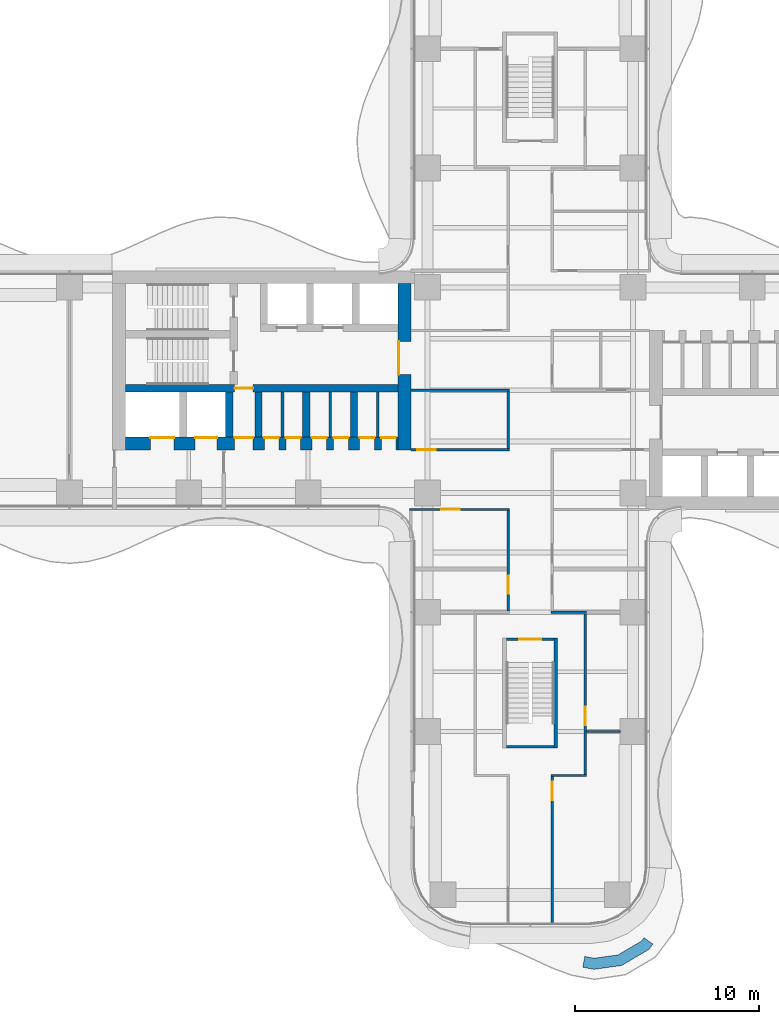
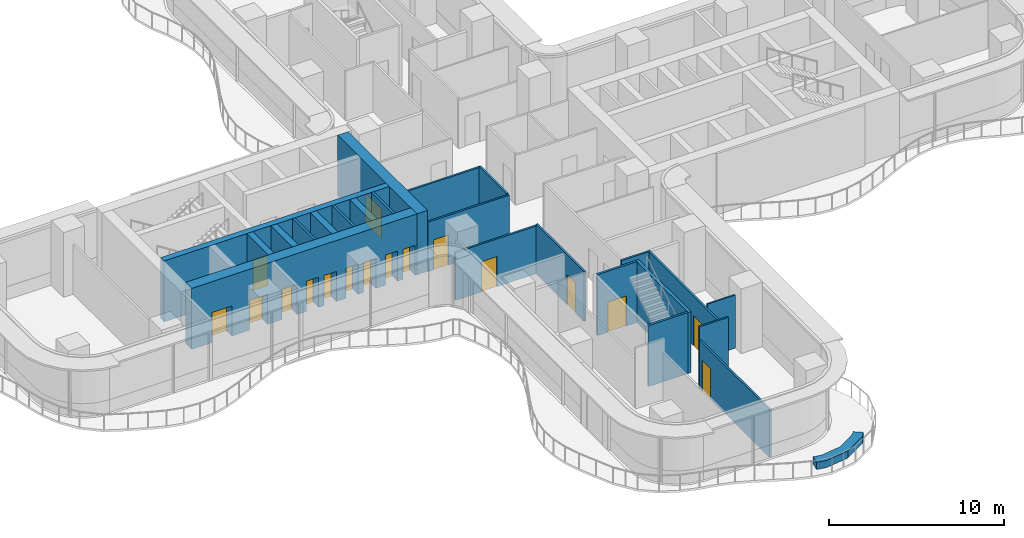
# One storey, part 17 of 22: 24 walls, 17 doors, 17 openings.
"""IFC4 building model written with IfcOpenShell, lengths in metres."""

from ifc_helpers import new_model, si_unit, direction, frame, frame_2d, origin, place, context, subcontext, project, spatial, polyline, rectangle, outline, extrude, source, transform, mapped, material, layer, layer_set, type_object, element, fill, save


model = new_model("IFC4")

# Units and contexts
model_context = context("Model", 3, precision=1e-05, world=origin(), true_north=direction((0.0, 1.0)))
body_context = subcontext(model_context, "Body", "Model", "MODEL_VIEW")
ifc_project = project(units=[si_unit("LENGTHUNIT", "METRE"), si_unit("AREAUNIT", "SQUARE_METRE"), si_unit("VOLUMEUNIT", "CUBIC_METRE"), si_unit("PLANEANGLEUNIT", "RADIAN"), si_unit("MASSUNIT", "GRAM", prefix="KILO")], contexts=[model_context])

# Site, building, storey
site_placement = place(None, origin())
site = spatial("IfcSite", under=ifc_project, at=site_placement, CompositionType="ELEMENT")
building_placement = place(site_placement, origin())
building = spatial("IfcBuilding", under=site, at=building_placement, Name="Trellis Farm Tower", CompositionType="ELEMENT")
storey_placement = place(building_placement, frame((0.0, 0.0, 52.0)))
storey = spatial("IfcBuildingStorey", under=building, at=storey_placement, Name="L10", CompositionType="ELEMENT", Elevation=52.0)

# Wall
ifc_material_1 = material(Name="Sandstone faced masonry planter", Category="masonry")
ifc_layer_1 = layer(ifc_material_1, 0.60009765625)
ifc_layer_set_1 = layer_set([ifc_layer_1], Name="PLANTER BED 600")
wall_type_1 = type_object("IfcWallType", Name="PLANTER BED 600", PredefinedType="USERDEFINED", material=ifc_layer_set_1)
wall_1_placement = place(storey_placement, origin())
element("IfcWall", 1, at=wall_1_placement, inside=storey, type_object=wall_type_1, Name="PLANTER bed", ObjectType="PLANTER", PredefinedType="USERDEFINED", context=body_context, shape_type="SweptSolid", body=[
    extrude(outline(polyline([(6.468994140625, -30.473388671875), (4.989990234375, -31.34619140625), (3.475830078125, -31.5595703125), (2.864990234375, -31.44482421875), (2.9755859375, -30.85498046875), (3.48974609375, -30.95166015625), (4.7880859375, -30.768798828125), (6.059814453125, -30.01806640625), (6.201416015625, -29.827880859375), (6.682861328125, -30.18603515625), (6.468994140625, -30.473388671875)])), origin(), (0.0, 0.0, 1.0), 0.5),
])

# Wall, opening, door
ifc_material_2 = material(Name="Concrete C80/95", Category="concrete")
ifc_layer_2 = layer(ifc_material_2, 0.699951171875)
ifc_layer_set_2 = layer_set([ifc_layer_2], Name="CORE OUTER WALL 700 CONCRETE C80/95")
wall_type_2 = type_object("IfcWallType", Name="CORE OUTER WALL 700 CONCRETE C80/95", PredefinedType="SHEAR", material=ifc_layer_set_2)
shared_shape_1 = source(origin(), body_context, "Body", "SweptSolid", [
    extrude(rectangle(XDim=9.050048828125, YDim=0.699951171875, at=frame_2d((4.52490234375, 0.0))), origin(), (0.0, 0.0, 1.0), 4.25),
])
wall_2_placement = place(storey_placement, frame((-6.85009765625, 5.800048828125, 0.0), z_axis=(0.0, 0.0, 1.0), x_axis=(0.0, -1.0, 0.0)))
wall_2 = element("IfcWall", 2, at=wall_2_placement, inside=storey, type_object=wall_type_2, Name="Core wall", PredefinedType="SHEAR", context=body_context, shape_type="MappedRepresentation", body=[
    mapped(shared_shape_1, transform((0.0, 0.0, 0.0))),
])
shared_shape_2 = source(origin(), body_context, "Body", "SweptSolid", [
    extrude(rectangle(XDim=1.800048828125, YDim=2.10009765625, at=frame_2d((0.89990234375, 1.050048828125))), frame((0.0, 0.360107421875, 0.0), z_axis=(0.0, -1.0, 0.0), x_axis=(1.0, 0.0, 0.0)), (0.0, 0.0, 1.0), 0.72021484375),
])
opening_1_placement = place(wall_2_placement, frame((3.14990234375, 0.0, 0.0)))
opening_1 = element("IfcOpeningElement", 3, at=opening_1_placement, cuts=wall_2, Name="Opening DC87", PredefinedType="OPENING", context=body_context, shape_type="MappedRepresentation", body=[
    mapped(shared_shape_2, transform((0.0, 0.0, 0.0))),
])
ifc_material_3 = material(Name="Steel", Category="steel")
door_type_1 = type_object("IfcDoorType", Name="CORE FIRE DOOR DOUBLE 1800 X 2100", OperationType="DOUBLE_DOOR_SINGLE_SWING", PredefinedType="DOOR", material=ifc_material_3)
shared_shape_3 = source(origin(), body_context, "Body", "SweptSolid", [
    extrude(rectangle(XDim=1.800048828125, YDim=2.10009765625, at=frame_2d((0.89990234375, 1.050048828125))), frame((0.0, -0.27490234375, 0.0), z_axis=(0.0, -1.0, 0.0), x_axis=(1.0, 0.0, 0.0)), (0.0, 0.0, 1.0), 0.050048828125),
])
door_1_placement = place(opening_1_placement, origin())
door_1 = element("IfcDoor", 4, at=door_1_placement, inside=storey, type_object=door_type_1, Name="Core door", OperationType="DOUBLE_DOOR_SINGLE_SWING", OverallHeight=2.10009765625, OverallWidth=1.800048828125, PredefinedType="DOOR", context=body_context, shape_type="MappedRepresentation", body=[
    mapped(shared_shape_3, transform((0.0, 0.0, 0.0))),
])
fill(opening_1, door_1)

# Walls
ifc_layer_3 = layer(ifc_material_2, 0.39990234375)
ifc_layer_set_3 = layer_set([ifc_layer_3], Name="CORE INNER WALL 400 CONCRETE C80/95")
wall_type_3 = type_object("IfcWallType", Name="CORE INNER WALL 400 CONCRETE C80/95", PredefinedType="SHEAR", material=ifc_layer_set_3)
shared_shape_4 = source(origin(), body_context, "Body", "SweptSolid", [
    extrude(rectangle(XDim=2.449951171875, YDim=0.39990234375, at=frame_2d((1.22509765625, 0.0))), origin(), (0.0, 0.0, 1.0), 4.25),
])
for number, where, z_axis, x_axis, name in (
    (5, (-9.60009765625, -0.10009765625, 0.0), (0.0, 0.0, 1.0), (0.0, -1.0, 0.0), "Core wall"),
    (6, (-12.199951171875, -0.10009765625, 0.0), (0.0, 0.0, 1.0), (0.0, -1.0, 0.0), "Core wall"),
    (7, (-14.800048828125, -0.10009765625, 0.0), (0.0, 0.0, 1.0), (0.0, -1.0, 0.0), "Core wall"),
    (8, (-16.39990234375, -0.10009765625, 0.0), (0.0, 0.0, 1.0), (0.0, -1.0, 0.0), "Core wall"),
):
    element("IfcWall", number, at=place(storey_placement, frame(where, z_axis=z_axis, x_axis=x_axis)), inside=storey, type_object=wall_type_3, Name=name, PredefinedType="SHEAR", context=body_context, shape_type="MappedRepresentation", body=[
        mapped(shared_shape_4, transform((0.0, 0.0, 0.0))),
    ])

# Wall, openings, doors
shared_shape_5 = source(origin(), body_context, "Body", "SweptSolid", [
    extrude(rectangle(XDim=14.85009765625, YDim=0.699951171875, at=frame_2d((7.425048828125, 0.0))), origin(), (0.0, 0.0, 1.0), 4.25),
])
wall_3_placement = place(storey_placement, frame((-7.199951171875, -2.89990234375, 0.0), z_axis=(0.0, 0.0, 1.0), x_axis=(-1.0, 0.0, 0.0)))
wall_3 = element("IfcWall", 9, at=wall_3_placement, inside=storey, type_object=wall_type_2, Name="Core wall", PredefinedType="SHEAR", context=body_context, shape_type="MappedRepresentation", body=[
    mapped(shared_shape_5, transform((0.0, 0.0, 0.0))),
])
shared_shape_6 = source(origin(), body_context, "Body", "SweptSolid", [
    extrude(rectangle(XDim=1.300048828125, YDim=2.10009765625, at=frame_2d((0.64990234375, 1.050048828125))), frame((0.0, 0.360107421875, 0.0), z_axis=(0.0, -1.0, 0.0), x_axis=(1.0, 0.0, 0.0)), (0.0, 0.0, 1.0), 0.72021484375),
])
opening_2_placement = place(wall_3_placement, frame((12.199951171875, 0.0, 0.0)))
opening_2 = element("IfcOpeningElement", 10, at=opening_2_placement, cuts=wall_3, Name="Opening LD15", PredefinedType="OPENING", context=body_context, shape_type="MappedRepresentation", body=[
    mapped(shared_shape_6, transform((0.0, 0.0, 0.0))),
])
shared_shape_7 = source(origin(), body_context, "Body", "SweptSolid", [
    extrude(rectangle(XDim=1.199951171875, YDim=2.10009765625, at=frame_2d((0.60009765625, 1.050048828125))), frame((0.0, 0.360107421875, 0.0), z_axis=(0.0, -1.0, 0.0), x_axis=(1.0, 0.0, 0.0)), (0.0, 0.0, 1.0), 0.72021484375),
])
opening_3_placement = place(wall_3_placement, frame((9.85009765625, 0.0, 0.0)))
opening_3 = element("IfcOpeningElement", 11, at=opening_3_placement, cuts=wall_3, Name="Opening LD16", PredefinedType="OPENING", context=body_context, shape_type="MappedRepresentation", body=[
    mapped(shared_shape_7, transform((0.0, 0.0, 0.0))),
])
shared_shape_8 = source(origin(), body_context, "Body", "SweptSolid", [
    extrude(rectangle(XDim=1.0, YDim=2.10009765625, at=frame_2d((0.5, 1.050048828125))), frame((0.0, 0.360107421875, 0.0), z_axis=(0.0, -1.0, 0.0), x_axis=(1.0, 0.0, 0.0)), (0.0, 0.0, 1.0), 0.72021484375),
])
opening_4_placement = place(wall_3_placement, frame((7.89990234375, 0.0, 0.0)))
opening_4 = element("IfcOpeningElement", 12, at=opening_4_placement, cuts=wall_3, Name="Opening DC92", PredefinedType="OPENING", context=body_context, shape_type="MappedRepresentation", body=[
    mapped(shared_shape_8, transform((0.0, 0.0, 0.0))),
])
shared_shape_9 = source(origin(), body_context, "Body", "SweptSolid", [
    extrude(rectangle(XDim=0.800048828125, YDim=2.10009765625, at=frame_2d((0.39990234375, 1.050048828125))), frame((0.0, 0.360107421875, 0.0), z_axis=(0.0, -1.0, 0.0), x_axis=(1.0, 0.0, 0.0)), (0.0, 0.0, 1.0), 0.72021484375),
])
opening_5_placement = place(wall_3_placement, frame((0.112548828125, 0.0, 0.0)))
opening_5 = element("IfcOpeningElement", 13, at=opening_5_placement, cuts=wall_3, Name="Opening DC95", PredefinedType="OPENING", context=body_context, shape_type="MappedRepresentation", body=[
    mapped(shared_shape_9, transform((0.0, 0.0, 0.0))),
])
opening_6_placement = place(wall_3_placement, frame((1.28759765625, 0.0, 0.0)))
opening_6 = element("IfcOpeningElement", 14, at=opening_6_placement, cuts=wall_3, Name="Opening DC102", PredefinedType="OPENING", context=body_context, shape_type="MappedRepresentation", body=[
    mapped(shared_shape_9, transform((0.0, 0.0, 0.0))),
])
opening_7_placement = place(wall_3_placement, frame((2.71240234375, 0.0, 0.0)))
opening_7 = element("IfcOpeningElement", 15, at=opening_7_placement, cuts=wall_3, Name="Opening DC107", PredefinedType="OPENING", context=body_context, shape_type="MappedRepresentation", body=[
    mapped(shared_shape_9, transform((0.0, 0.0, 0.0))),
])
opening_8_placement = place(wall_3_placement, frame((3.887451171875, 0.0, 0.0)))
opening_8 = element("IfcOpeningElement", 16, at=opening_8_placement, cuts=wall_3, Name="Opening DC114", PredefinedType="OPENING", context=body_context, shape_type="MappedRepresentation", body=[
    mapped(shared_shape_9, transform((0.0, 0.0, 0.0))),
])
opening_9_placement = place(wall_3_placement, frame((5.3125, 0.0, 0.0)))
opening_9 = element("IfcOpeningElement", 17, at=opening_9_placement, cuts=wall_3, Name="Opening DC119", PredefinedType="OPENING", context=body_context, shape_type="MappedRepresentation", body=[
    mapped(shared_shape_9, transform((0.0, 0.0, 0.0))),
])
opening_10_placement = place(wall_3_placement, frame((6.487548828125, 0.0, 0.0)))
opening_10 = element("IfcOpeningElement", 18, at=opening_10_placement, cuts=wall_3, Name="Opening DC126", PredefinedType="OPENING", context=body_context, shape_type="MappedRepresentation", body=[
    mapped(shared_shape_9, transform((0.0, 0.0, 0.0))),
])
door_type_2 = type_object("IfcDoorType", Name="CORE FIRE DOOR 1000 X 2100", OperationType="NOTDEFINED", PredefinedType="DOOR", material=ifc_material_3)
shared_shape_10 = source(origin(), body_context, "Body", "SweptSolid", [
    extrude(rectangle(XDim=1.0, YDim=2.10009765625, at=frame_2d((0.5, 1.050048828125))), frame((0.0, -0.27490234375, 0.0), z_axis=(0.0, -1.0, 0.0), x_axis=(1.0, 0.0, 0.0)), (0.0, 0.0, 1.0), 0.050048828125),
])
door_2_placement = place(opening_4_placement, origin())
door_2 = element("IfcDoor", 19, at=door_2_placement, inside=storey, type_object=door_type_2, Name="Core door", OperationType="SINGLE_SWING_LEFT", OverallHeight=2.10009765625, OverallWidth=1.0, PredefinedType="DOOR", context=body_context, shape_type="MappedRepresentation", body=[
    mapped(shared_shape_10, transform((0.0, 0.0, 0.0))),
])
fill(opening_4, door_2)
ifc_material_4 = material(Name="Stainless steel", Category="steel")
door_type_3 = type_object("IfcDoorType", Name="LIFT LANDING DOOR 1300 X 2100", OperationType="DOUBLE_DOOR_SLIDING", PredefinedType="DOOR", material=ifc_material_4)
shared_shape_11 = source(origin(), body_context, "Body", "SweptSolid", [
    extrude(rectangle(XDim=1.300048828125, YDim=2.10009765625, at=frame_2d((0.64990234375, 1.050048828125))), frame((0.0, -0.27490234375, 0.0), z_axis=(0.0, -1.0, 0.0), x_axis=(1.0, 0.0, 0.0)), (0.0, 0.0, 1.0), 0.050048828125),
])
door_3_placement = place(opening_2_placement, origin())
door_3 = element("IfcDoor", 20, at=door_3_placement, inside=storey, type_object=door_type_3, Name="Lift landing door", OperationType="DOUBLE_DOOR_SLIDING", OverallHeight=2.10009765625, OverallWidth=1.300048828125, PredefinedType="DOOR", context=body_context, shape_type="MappedRepresentation", body=[
    mapped(shared_shape_11, transform((0.0, 0.0, 0.0))),
])
fill(opening_2, door_3)
door_type_4 = type_object("IfcDoorType", Name="LIFT LANDING DOOR 1200 X 2100", OperationType="DOUBLE_DOOR_SLIDING", PredefinedType="DOOR", material=ifc_material_4)
shared_shape_12 = source(origin(), body_context, "Body", "SweptSolid", [
    extrude(rectangle(XDim=1.199951171875, YDim=2.10009765625, at=frame_2d((0.60009765625, 1.050048828125))), frame((0.0, -0.27490234375, 0.0), z_axis=(0.0, -1.0, 0.0), x_axis=(1.0, 0.0, 0.0)), (0.0, 0.0, 1.0), 0.050048828125),
])
door_4_placement = place(opening_3_placement, origin())
door_4 = element("IfcDoor", 21, at=door_4_placement, inside=storey, type_object=door_type_4, Name="Lift landing door", OperationType="DOUBLE_DOOR_SLIDING", OverallHeight=2.10009765625, OverallWidth=1.199951171875, PredefinedType="DOOR", context=body_context, shape_type="MappedRepresentation", body=[
    mapped(shared_shape_12, transform((0.0, 0.0, 0.0))),
])
fill(opening_3, door_4)
door_type_5 = type_object("IfcDoorType", Name="CORE FIRE DOOR 800 X 2100", OperationType="NOTDEFINED", PredefinedType="DOOR", material=ifc_material_3)
shared_shape_13 = source(origin(), body_context, "Body", "SweptSolid", [
    extrude(rectangle(XDim=0.800048828125, YDim=2.10009765625, at=frame_2d((0.39990234375, 1.050048828125))), frame((0.0, -0.27490234375, 0.0), z_axis=(0.0, -1.0, 0.0), x_axis=(1.0, 0.0, 0.0)), (0.0, 0.0, 1.0), 0.050048828125),
])
door_5_placement = place(opening_5_placement, origin())
door_5 = element("IfcDoor", 22, at=door_5_placement, inside=storey, type_object=door_type_5, Name="Core door", OperationType="SINGLE_SWING_LEFT", OverallHeight=2.10009765625, OverallWidth=0.800048828125, PredefinedType="DOOR", context=body_context, shape_type="MappedRepresentation", body=[
    mapped(shared_shape_13, transform((0.0, 0.0, 0.0))),
])
fill(opening_5, door_5)
door_6_placement = place(opening_6_placement, origin())
door_6 = element("IfcDoor", 23, at=door_6_placement, inside=storey, type_object=door_type_5, Name="Core door", OperationType="SINGLE_SWING_RIGHT", OverallHeight=2.10009765625, OverallWidth=0.800048828125, PredefinedType="DOOR", context=body_context, shape_type="MappedRepresentation", body=[
    mapped(shared_shape_13, transform((0.0, 0.0, 0.0))),
])
fill(opening_6, door_6)
door_7_placement = place(opening_7_placement, origin())
door_7 = element("IfcDoor", 24, at=door_7_placement, inside=storey, type_object=door_type_5, Name="Core door", OperationType="SINGLE_SWING_LEFT", OverallHeight=2.10009765625, OverallWidth=0.800048828125, PredefinedType="DOOR", context=body_context, shape_type="MappedRepresentation", body=[
    mapped(shared_shape_13, transform((0.0, 0.0, 0.0))),
])
fill(opening_7, door_7)
door_8_placement = place(opening_8_placement, origin())
door_8 = element("IfcDoor", 25, at=door_8_placement, inside=storey, type_object=door_type_5, Name="Core door", OperationType="SINGLE_SWING_RIGHT", OverallHeight=2.10009765625, OverallWidth=0.800048828125, PredefinedType="DOOR", context=body_context, shape_type="MappedRepresentation", body=[
    mapped(shared_shape_13, transform((0.0, 0.0, 0.0))),
])
fill(opening_8, door_8)
door_9_placement = place(opening_9_placement, origin())
door_9 = element("IfcDoor", 26, at=door_9_placement, inside=storey, type_object=door_type_5, Name="Core door", OperationType="SINGLE_SWING_LEFT", OverallHeight=2.10009765625, OverallWidth=0.800048828125, PredefinedType="DOOR", context=body_context, shape_type="MappedRepresentation", body=[
    mapped(shared_shape_13, transform((0.0, 0.0, 0.0))),
])
fill(opening_9, door_9)
door_10_placement = place(opening_10_placement, origin())
door_10 = element("IfcDoor", 27, at=door_10_placement, inside=storey, type_object=door_type_5, Name="Core door", OperationType="SINGLE_SWING_RIGHT", OverallHeight=2.10009765625, OverallWidth=0.800048828125, PredefinedType="DOOR", context=body_context, shape_type="MappedRepresentation", body=[
    mapped(shared_shape_13, transform((0.0, 0.0, 0.0))),
])
fill(opening_10, door_10)

# Wall, opening, door
shared_shape_14 = source(origin(), body_context, "Body", "SweptSolid", [
    extrude(rectangle(XDim=14.85009765625, YDim=0.39990234375, at=frame_2d((7.425048828125, 0.0))), origin(), (0.0, 0.0, 1.0), 4.25),
])
wall_4_placement = place(storey_placement, frame((-7.199951171875, 0.10009765625, 0.0), z_axis=(0.0, 0.0, 1.0), x_axis=(-1.0, 0.0, 0.0)))
wall_4 = element("IfcWall", 28, at=wall_4_placement, inside=storey, type_object=wall_type_3, Name="Core wall", PredefinedType="SHEAR", context=body_context, shape_type="MappedRepresentation", body=[
    mapped(shared_shape_14, transform((0.0, 0.0, 0.0))),
])
shared_shape_15 = source(origin(), body_context, "Body", "SweptSolid", [
    extrude(rectangle(XDim=1.0, YDim=2.10009765625, at=frame_2d((0.5, 1.050048828125))), frame((0.0, 0.2099609375, 0.0), z_axis=(0.0, -1.0, 0.0), x_axis=(1.0, 0.0, 0.0)), (0.0, 0.0, 1.0), 0.419921875),
])
opening_11_placement = place(wall_4_placement, frame((7.89990234375, 0.0, 0.0)))
opening_11 = element("IfcOpeningElement", 29, at=opening_11_placement, cuts=wall_4, Name="Opening DC91", PredefinedType="OPENING", context=body_context, shape_type="MappedRepresentation", body=[
    mapped(shared_shape_15, transform((0.0, 0.0, 0.0))),
])
shared_shape_16 = source(origin(), body_context, "Body", "SweptSolid", [
    extrude(rectangle(XDim=1.0, YDim=2.10009765625, at=frame_2d((0.5, 1.050048828125))), frame((0.0, 0.02490234375, 0.0), z_axis=(0.0, -1.0, 0.0), x_axis=(1.0, 0.0, 0.0)), (0.0, 0.0, 1.0), 0.050048828125),
])
door_11_placement = place(opening_11_placement, origin())
door_11 = element("IfcDoor", 30, at=door_11_placement, inside=storey, type_object=door_type_2, Name="Core door", OperationType="SINGLE_SWING_RIGHT", OverallHeight=2.10009765625, OverallWidth=1.0, PredefinedType="DOOR", context=body_context, shape_type="MappedRepresentation", body=[
    mapped(shared_shape_16, transform((0.0, 0.0, 0.0))),
])
fill(opening_11, door_11)

# Walls
ifc_material_5 = material(Name="Masonry blockwork", Category="masonry")
ifc_layer_4 = layer(ifc_material_5, 0.14990234375)
ifc_layer_set_4 = layer_set([ifc_layer_4], Name="CORE PARTITION 150 BLOCKWORK")
wall_type_4 = type_object("IfcWallType", Name="CORE PARTITION 150 BLOCKWORK", PredefinedType="PARTITIONING", material=ifc_layer_set_4)
shared_shape_17 = source(origin(), body_context, "Body", "SweptSolid", [
    extrude(rectangle(XDim=2.449951171875, YDim=0.14990234375, at=frame_2d((1.22509765625, 0.0))), origin(), (0.0, 0.0, 1.0), 4.25),
])
for number, where, z_axis, x_axis, name in (
    (31, (-8.300048828125, -0.10009765625, 0.0), (0.0, 0.0, 1.0), (0.0, -1.0, 0.0), "Core room partition"),
    (32, (-10.89990234375, -0.10009765625, 0.0), (0.0, 0.0, 1.0), (0.0, -1.0, 0.0), "Core room partition"),
    (33, (-13.5, -0.10009765625, 0.0), (0.0, 0.0, 1.0), (0.0, -1.0, 0.0), "Core room partition"),
):
    element("IfcWall", number, at=place(storey_placement, frame(where, z_axis=z_axis, x_axis=x_axis)), inside=storey, type_object=wall_type_4, Name=name, PredefinedType="PARTITIONING", context=body_context, shape_type="MappedRepresentation", body=[
        mapped(shared_shape_17, transform((0.0, 0.0, 0.0))),
    ])
ifc_layer_5 = layer(ifc_material_2, 0.199951171875)
ifc_layer_set_5 = layer_set([ifc_layer_5], Name="CORE STAIR ENCLOSURE WALL 200 CONCRETE C80/95")
wall_type_5 = type_object("IfcWallType", Name="CORE STAIR ENCLOSURE WALL 200 CONCRETE C80/95", PredefinedType="SHEAR", material=ifc_layer_set_5)
shared_shape_18 = source(origin(), body_context, "Body", "SweptSolid", [
    extrude(rectangle(XDim=6.0, YDim=0.199951171875, at=frame_2d((3.0, 0.0))), origin(), (0.0, 0.0, 1.0), 4.25),
])
wall_5_placement = place(storey_placement, frame((1.39990234375, -13.5, 0.0), z_axis=(0.0, 0.0, 1.0), x_axis=(0.0, -1.0, 0.0)))
element("IfcWall", 34, at=wall_5_placement, inside=storey, type_object=wall_type_5, Name="Stair enclosure wall", PredefinedType="SHEAR", context=body_context, shape_type="MappedRepresentation", body=[
    mapped(shared_shape_18, transform((0.0, 0.0, 0.0))),
])

# Wall, opening, door
ifc_layer_6 = layer(ifc_material_2, 0.14990234375)
ifc_layer_set_6 = layer_set([ifc_layer_6], Name="CORE STAIR ENCLOSURE WALL 150 CONCRETE C80/95")
wall_type_6 = type_object("IfcWallType", Name="CORE STAIR ENCLOSURE WALL 150 CONCRETE C80/95", PredefinedType="SHEAR", material=ifc_layer_set_6)
shared_shape_19 = source(origin(), body_context, "Body", "SweptSolid", [
    extrude(rectangle(XDim=2.60009765625, YDim=0.14990234375, at=frame_2d((1.300048828125, 0.0))), origin(), (0.0, 0.0, 1.0), 4.25),
])
wall_6_placement = place(storey_placement, frame((1.300048828125, -13.574951171875, 0.0), z_axis=(0.0, 0.0, 1.0), x_axis=(-1.0, 0.0, 0.0)))
wall_6 = element("IfcWall", 35, at=wall_6_placement, inside=storey, type_object=wall_type_6, Name="Stair enclosure wall", PredefinedType="SHEAR", context=body_context, shape_type="MappedRepresentation", body=[
    mapped(shared_shape_19, transform((0.0, 0.0, 0.0))),
])
shared_shape_20 = source(origin(), body_context, "Body", "SweptSolid", [
    extrude(rectangle(XDim=1.199951171875, YDim=2.10009765625, at=frame_2d((0.60009765625, 1.050048828125))), frame((0.0, 0.0849609375, 0.0), z_axis=(0.0, -1.0, 0.0), x_axis=(1.0, 0.0, 0.0)), (0.0, 0.0, 1.0), 0.169921875),
])
opening_12_placement = place(wall_6_placement, frame((0.699951171875, 0.0, 0.0)))
opening_12 = element("IfcOpeningElement", 36, at=opening_12_placement, cuts=wall_6, Name="Opening DC174", PredefinedType="OPENING", context=body_context, shape_type="MappedRepresentation", body=[
    mapped(shared_shape_20, transform((0.0, 0.0, 0.0))),
])
door_type_6 = type_object("IfcDoorType", Name="CORE FIRE DOOR 1200 X 2100", OperationType="NOTDEFINED", PredefinedType="DOOR", material=ifc_material_3)
shared_shape_21 = source(origin(), body_context, "Body", "SweptSolid", [
    extrude(rectangle(XDim=1.199951171875, YDim=2.10009765625, at=frame_2d((0.60009765625, 1.050048828125))), frame((0.0, 0.02490234375, 0.0), z_axis=(0.0, -1.0, 0.0), x_axis=(1.0, 0.0, 0.0)), (0.0, 0.0, 1.0), 0.050048828125),
])
door_12_placement = place(opening_12_placement, origin())
door_12 = element("IfcDoor", 37, at=door_12_placement, inside=storey, type_object=door_type_6, Name="Core door", OperationType="SINGLE_SWING_RIGHT", OverallHeight=2.10009765625, OverallWidth=1.199951171875, PredefinedType="DOOR", context=body_context, shape_type="MappedRepresentation", body=[
    mapped(shared_shape_21, transform((0.0, 0.0, 0.0))),
])
fill(opening_12, door_12)

# Walls
wall_7_placement = place(storey_placement, frame((1.300048828125, -19.425048828125, 0.0), z_axis=(0.0, 0.0, 1.0), x_axis=(-1.0, 0.0, 0.0)))
element("IfcWall", 38, at=wall_7_placement, inside=storey, type_object=wall_type_6, Name="Stair enclosure wall", PredefinedType="SHEAR", context=body_context, shape_type="MappedRepresentation", body=[
    mapped(shared_shape_19, transform((0.0, 0.0, 0.0))),
])
ifc_material_6 = material(Name="Plasterboard on steel studs, mineral wool", Category="steel")
ifc_layer_7 = layer(ifc_material_6, 0.125)
ifc_layer_set_7 = layer_set([ifc_layer_7], Name="PARTITION 125 STUD EI 60")
wall_type_7 = type_object("IfcWallType", Name="PARTITION 125 STUD EI 60", PredefinedType="PARTITIONING", material=ifc_layer_set_7)
shared_shape_22 = source(origin(), body_context, "Body", "SweptSolid", [
    extrude(rectangle(XDim=3.125, YDim=0.125, at=frame_2d((1.5625, 0.0))), origin(), (0.0, 0.0, 1.0), 3.54638671875),
])
wall_8_placement = place(storey_placement, frame((-1.199951171875, -0.0625, 0.0), z_axis=(0.0, 0.0, 1.0), x_axis=(0.0, -1.0, 0.0)))
element("IfcWall", 39, at=wall_8_placement, inside=storey, type_object=wall_type_7, Name="Partition PW1", PredefinedType="PARTITIONING", context=body_context, shape_type="MappedRepresentation", body=[
    mapped(shared_shape_22, transform((0.0, 0.0, 0.0))),
])

# Wall, opening, door
shared_shape_23 = source(origin(), body_context, "Body", "SweptSolid", [
    extrude(rectangle(XDim=5.47509765625, YDim=0.125, at=frame_2d((2.737548828125, 0.0))), origin(), (0.0, 0.0, 1.0), 3.4677734375),
])
wall_9_placement = place(storey_placement, frame((-1.199951171875, -6.5625, 0.0), z_axis=(0.0, 0.0, 1.0), x_axis=(0.0, -1.0, 0.0)))
wall_9 = element("IfcWall", 40, at=wall_9_placement, inside=storey, type_object=wall_type_7, Name="Partition PW1", PredefinedType="PARTITIONING", context=body_context, shape_type="MappedRepresentation", body=[
    mapped(shared_shape_23, transform((0.0, 0.0, 0.0))),
])
shared_shape_24 = source(origin(), body_context, "Body", "SweptSolid", [
    extrude(rectangle(XDim=1.0, YDim=2.10009765625, at=frame_2d((0.5, 1.050048828125))), frame((0.0, 0.072509765625, 0.0), z_axis=(0.0, -1.0, 0.0), x_axis=(1.0, 0.0, 0.0)), (0.0, 0.0, 1.0), 0.14501953125),
])
opening_13_placement = place(wall_9_placement, frame((3.53759765625, 0.0, 0.0)))
opening_13 = element("IfcOpeningElement", 41, at=opening_13_placement, cuts=wall_9, Name="Opening D301", PredefinedType="OPENING", context=body_context, shape_type="MappedRepresentation", body=[
    mapped(shared_shape_24, transform((0.0, 0.0, 0.0))),
])
ifc_material_7 = material(Name="Fire-rated timber door leaf in a hollow metal frame", Category="wood")
door_type_7 = type_object("IfcDoorType", Name="DOOR 1000x2100 FD60", OperationType="NOTDEFINED", PredefinedType="DOOR", material=ifc_material_7)
door_13_placement = place(opening_13_placement, origin())
door_13 = element("IfcDoor", 42, at=door_13_placement, inside=storey, type_object=door_type_7, Name="Door D301", OperationType="SINGLE_SWING_LEFT", OverallHeight=2.10009765625, OverallWidth=1.0, PredefinedType="DOOR", context=body_context, shape_type="MappedRepresentation", body=[
    mapped(shared_shape_16, transform((0.0, 0.0, 0.0))),
])
fill(opening_13, door_13)

# Wall
shared_shape_25 = source(origin(), body_context, "Body", "SweptSolid", [
    extrude(rectangle(XDim=1.925048828125, YDim=0.125, at=frame_2d((0.96240234375, 0.0))), origin(), (0.0, 0.0, 1.0), 3.4677734375),
])
wall_10_placement = place(storey_placement, frame((1.137451171875, -12.10009765625, 0.0), z_axis=(0.0, 0.0, 1.0), x_axis=(1.0, 0.0, 0.0)))
element("IfcWall", 43, at=wall_10_placement, inside=storey, type_object=wall_type_7, Name="Partition PW1", PredefinedType="PARTITIONING", context=body_context, shape_type="MappedRepresentation", body=[
    mapped(shared_shape_25, transform((0.0, 0.0, 0.0))),
])

# Wall, opening, door
shared_shape_26 = source(origin(), body_context, "Body", "SweptSolid", [
    extrude(rectangle(XDim=5.362548828125, YDim=0.125, at=frame_2d((2.68115234375, 0.0))), origin(), (0.0, 0.0, 1.0), 3.4677734375),
])
wall_11_placement = place(storey_placement, frame((-1.137451171875, -3.25, 0.0), z_axis=(0.0, 0.0, 1.0), x_axis=(-1.0, 0.0, 0.0)))
wall_11 = element("IfcWall", 44, at=wall_11_placement, inside=storey, type_object=wall_type_7, Name="Partition PW1", PredefinedType="PARTITIONING", context=body_context, shape_type="MappedRepresentation", body=[
    mapped(shared_shape_26, transform((0.0, 0.0, 0.0))),
])
opening_14_placement = place(wall_11_placement, frame((4.012451171875, 0.0, 0.0)))
opening_14 = element("IfcOpeningElement", 45, at=opening_14_placement, cuts=wall_11, Name="Opening D107", PredefinedType="OPENING", context=body_context, shape_type="MappedRepresentation", body=[
    mapped(shared_shape_24, transform((0.0, 0.0, 0.0))),
])
door_type_8 = type_object("IfcDoorType", Name="DOOR 1000x2100 FD30S", OperationType="NOTDEFINED", PredefinedType="DOOR", material=ifc_material_7)
door_14_placement = place(opening_14_placement, origin())
door_14 = element("IfcDoor", 46, at=door_14_placement, inside=storey, type_object=door_type_8, Name="Door D107", OperationType="SINGLE_SWING_RIGHT", OverallHeight=2.10009765625, OverallWidth=1.0, PredefinedType="DOOR", context=body_context, shape_type="MappedRepresentation", body=[
    mapped(shared_shape_16, transform((0.0, 0.0, 0.0))),
])
fill(opening_14, door_14)

# Wall
wall_12_placement = place(storey_placement, frame((-1.137451171875, 0.0, 0.0), z_axis=(0.0, 0.0, 1.0), x_axis=(-1.0, 0.0, 0.0)))
element("IfcWall", 47, at=wall_12_placement, inside=storey, type_object=wall_type_7, Name="Partition PW1", PredefinedType="PARTITIONING", context=body_context, shape_type="MappedRepresentation", body=[
    mapped(shared_shape_26, transform((0.0, 0.0, 0.0))),
])

# Wall, opening, door
shared_shape_27 = source(origin(), body_context, "Body", "SweptSolid", [
    extrude(rectangle(XDim=5.425048828125, YDim=0.125, at=frame_2d((2.71240234375, 0.0))), origin(), (0.0, 0.0, 1.0), 3.330078125),
])
wall_13_placement = place(storey_placement, frame((-1.137451171875, -6.5, 0.0), z_axis=(0.0, 0.0, 1.0), x_axis=(-1.0, 0.0, 0.0)))
wall_13 = element("IfcWall", 48, at=wall_13_placement, inside=storey, type_object=wall_type_7, Name="Partition PW1", PredefinedType="PARTITIONING", context=body_context, shape_type="MappedRepresentation", body=[
    mapped(shared_shape_27, transform((0.0, 0.0, 0.0))),
])
opening_15_placement = place(wall_13_placement, frame((2.71240234375, 0.0, 0.0)))
opening_15 = element("IfcOpeningElement", 49, at=opening_15_placement, cuts=wall_13, Name="Opening D105", PredefinedType="OPENING", context=body_context, shape_type="MappedRepresentation", body=[
    mapped(shared_shape_24, transform((0.0, 0.0, 0.0))),
])
door_15_placement = place(opening_15_placement, origin())
door_15 = element("IfcDoor", 50, at=door_15_placement, inside=storey, type_object=door_type_8, Name="Door D105", OperationType="SINGLE_SWING_RIGHT", OverallHeight=2.10009765625, OverallWidth=1.0, PredefinedType="DOOR", context=body_context, shape_type="MappedRepresentation", body=[
    mapped(shared_shape_16, transform((0.0, 0.0, 0.0))),
])
fill(opening_15, door_15)

shared_shape_28 = source(origin(), body_context, "Body", "SweptSolid", [
    extrude(rectangle(XDim=7.987548828125, YDim=0.125, at=frame_2d((3.99365234375, 0.0))), origin(), (0.0, 0.0, 1.0), 3.330078125),
])
wall_14_placement = place(storey_placement, frame((1.199951171875, -21.0625, 0.0), z_axis=(0.0, 0.0, 1.0), x_axis=(0.0, -1.0, 0.0)))
wall_14 = element("IfcWall", 51, at=wall_14_placement, inside=storey, type_object=wall_type_7, Name="Partition PW1", PredefinedType="PARTITIONING", context=body_context, shape_type="MappedRepresentation", body=[
    mapped(shared_shape_28, transform((0.0, 0.0, 0.0))),
])
opening_16_placement = place(wall_14_placement, frame((0.28759765625, 0.0, 0.0)))
opening_16 = element("IfcOpeningElement", 52, at=opening_16_placement, cuts=wall_14, Name="Opening D101", PredefinedType="OPENING", context=body_context, shape_type="MappedRepresentation", body=[
    mapped(shared_shape_24, transform((0.0, 0.0, 0.0))),
])
door_16_placement = place(opening_16_placement, origin())
door_16 = element("IfcDoor", 53, at=door_16_placement, inside=storey, type_object=door_type_8, Name="Door D101", OperationType="SINGLE_SWING_LEFT", OverallHeight=2.10009765625, OverallWidth=1.0, PredefinedType="DOOR", context=body_context, shape_type="MappedRepresentation", body=[
    mapped(shared_shape_16, transform((0.0, 0.0, 0.0))),
])
fill(opening_16, door_16)

shared_shape_29 = source(origin(), body_context, "Body", "SweptSolid", [
    extrude(rectangle(XDim=8.737548828125, YDim=0.125, at=frame_2d((4.36865234375, 0.0))), origin(), (0.0, 0.0, 1.0), 3.4677734375),
])
wall_15_placement = place(storey_placement, frame((3.0, -12.199951171875, 0.0), z_axis=(0.0, 0.0, 1.0), x_axis=(0.0, -1.0, 0.0)))
wall_15 = element("IfcWall", 54, at=wall_15_placement, inside=storey, type_object=wall_type_7, Name="Partition PW1", PredefinedType="PARTITIONING", context=body_context, shape_type="MappedRepresentation", body=[
    mapped(shared_shape_29, transform((0.0, 0.0, 0.0))),
])
opening_17_placement = place(wall_15_placement, frame((5.050048828125, 0.0, 0.0)))
opening_17 = element("IfcOpeningElement", 55, at=opening_17_placement, cuts=wall_15, Name="Opening D102", PredefinedType="OPENING", context=body_context, shape_type="MappedRepresentation", body=[
    mapped(shared_shape_24, transform((0.0, 0.0, 0.0))),
])
door_17_placement = place(opening_17_placement, origin())
door_17 = element("IfcDoor", 56, at=door_17_placement, inside=storey, type_object=door_type_8, Name="Door D102", OperationType="SINGLE_SWING_RIGHT", OverallHeight=2.10009765625, OverallWidth=1.0, PredefinedType="DOOR", context=body_context, shape_type="MappedRepresentation", body=[
    mapped(shared_shape_16, transform((0.0, 0.0, 0.0))),
])
fill(opening_17, door_17)

# Walls
shared_shape_30 = source(origin(), body_context, "Body", "SweptSolid", [
    extrude(rectangle(XDim=1.925048828125, YDim=0.125, at=frame_2d((0.96240234375, 0.0))), origin(), (0.0, 0.0, 1.0), 4.25),
])
wall_16_placement = place(storey_placement, frame((3.0625, -21.0, 0.0), z_axis=(0.0, 0.0, 1.0), x_axis=(-1.0, 0.0, 0.0)))
element("IfcWall", 57, at=wall_16_placement, inside=storey, type_object=wall_type_7, Name="Partition PW1", PredefinedType="PARTITIONING", context=body_context, shape_type="MappedRepresentation", body=[
    mapped(shared_shape_30, transform((0.0, 0.0, 0.0))),
])
ifc_material_8 = material(Name="Plasterboard on steel studs", Category="steel")
ifc_layer_8 = layer(ifc_material_8, 0.10009765625)
ifc_layer_set_8 = layer_set([ifc_layer_8], Name="PARTITION 100 STUD EI 30")
wall_type_8 = type_object("IfcWallType", Name="PARTITION 100 STUD EI 30", PredefinedType="PARTITIONING", material=ifc_layer_set_8)
shared_shape_31 = source(origin(), body_context, "Body", "SweptSolid", [
    extrude(rectangle(XDim=1.83740234375, YDim=0.10009765625, at=frame_2d((0.918701171875, 0.0))), origin(), (0.0, 0.0, 1.0), 3.69677734375),
])
wall_17_placement = place(storey_placement, frame((3.0625, -18.60009765625, 0.0), z_axis=(0.0, 0.0, 1.0), x_axis=(1.0, 0.0, 0.0)))
element("IfcWall", 58, at=wall_17_placement, inside=storey, type_object=wall_type_8, Name="Partition PW2", PredefinedType="PARTITIONING", context=body_context, shape_type="MappedRepresentation", body=[
    mapped(shared_shape_31, transform((0.0, 0.0, 0.0))),
])

save(model, "model.ifc")
